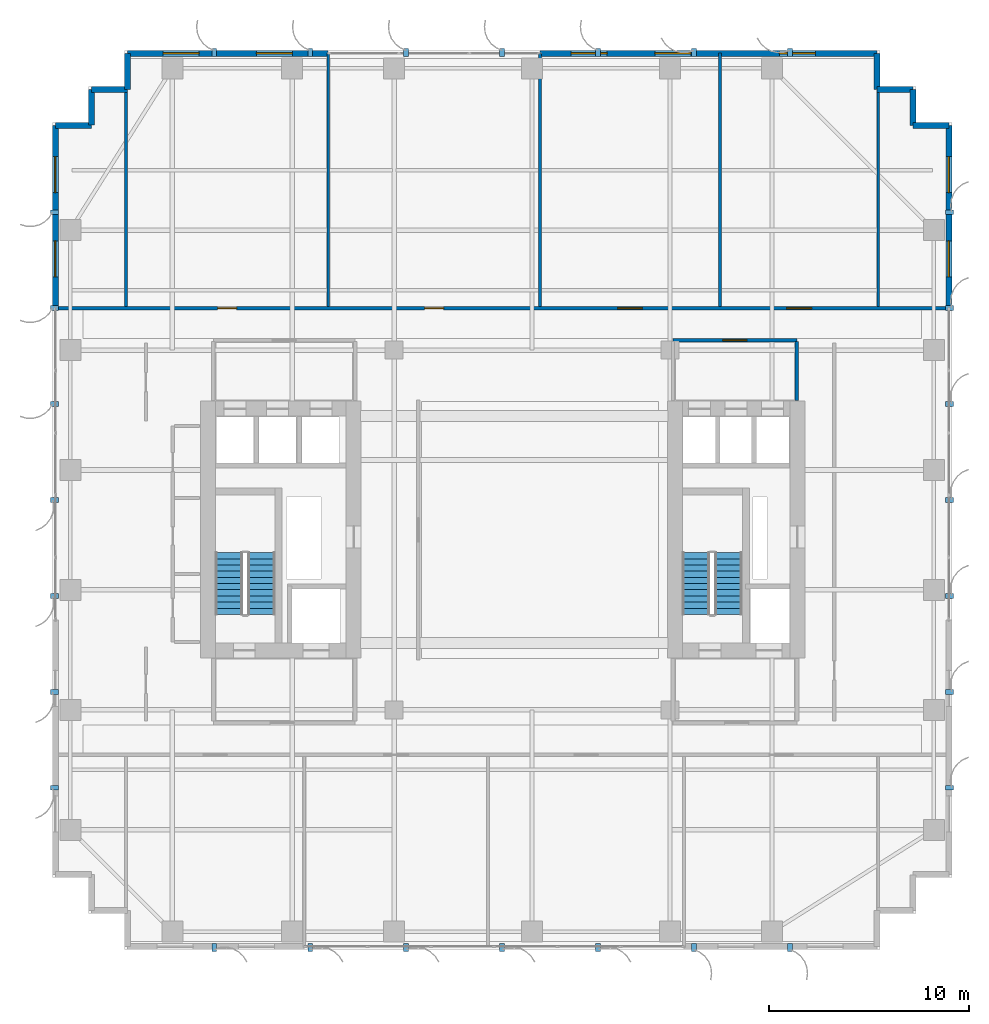
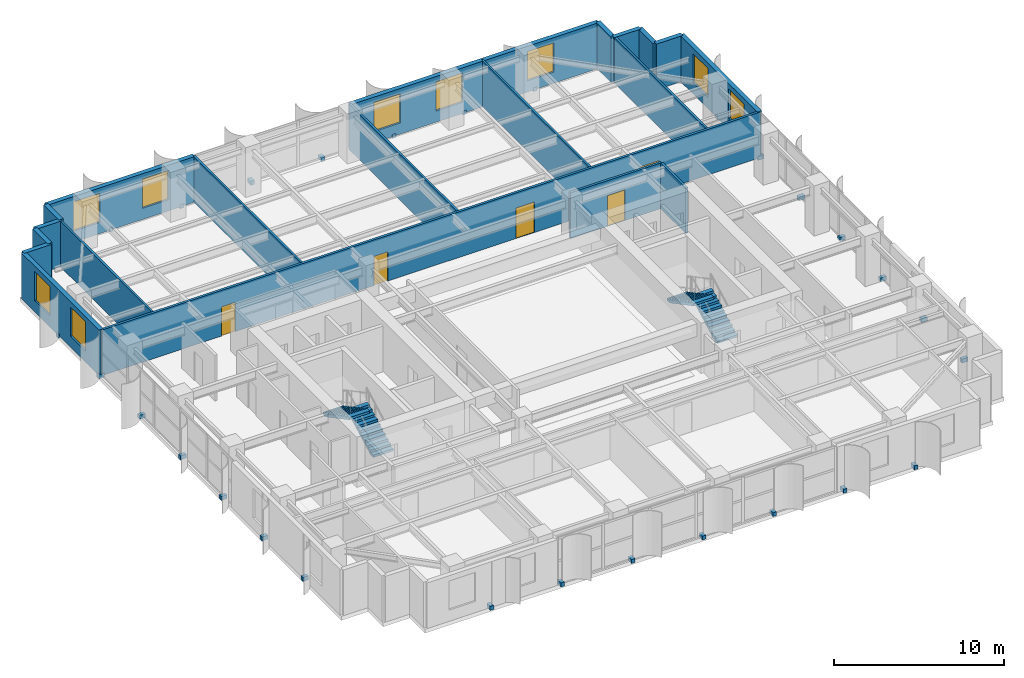
# One storey, part 24 of 28: 28 discrete accessories, 20 walls, 9 windows, 5 doors, 4 stair flights, 14 openings, 2 elements without a shape of their own.
"""IFC4 building model written with IfcOpenShell, lengths in metres."""

from ifc_helpers import new_model, si_unit, direction, frame, frame_2d, origin, origin_2d, place, context, subcontext, project, spatial, polyline, rectangle, outline, extrude, source, transform, mapped, material, layer, layer_set, type_object, element, fill, aggregate, save


model = new_model("IFC4")

# Units and contexts
model_context = context("Model", 3, precision=1e-05, world=origin(), true_north=direction((0.0, 1.0)))
body_context = subcontext(model_context, "Body", "Model", "MODEL_VIEW")
ifc_project = project(units=[si_unit("LENGTHUNIT", "METRE"), si_unit("AREAUNIT", "SQUARE_METRE"), si_unit("VOLUMEUNIT", "CUBIC_METRE"), si_unit("PLANEANGLEUNIT", "RADIAN"), si_unit("MASSUNIT", "GRAM", prefix="KILO")], contexts=[model_context])

# Site, building, storey
site_placement = place(None, origin())
site = spatial("IfcSite", under=ifc_project, at=site_placement, CompositionType="ELEMENT")
building_placement = place(site_placement, origin())
building = spatial("IfcBuilding", under=site, at=building_placement, Name="Khoralis Quay Care Tower", CompositionType="ELEMENT")
storey_placement = place(building_placement, frame((0.0, 0.0, 144.89990234375)))
storey = spatial("IfcBuildingStorey", under=building, at=storey_placement, Name="L38", CompositionType="ELEMENT", Elevation=144.89990234375)

# Wall, opening, door
ifc_material_1 = material(Name="Gypsum plasterboard on acoustic metal stud")
ifc_layer_1 = layer(ifc_material_1, 0.1650390625)
ifc_layer_set_1 = layer_set([ifc_layer_1], Name="Gypsum plasterboard on acoustic metal stud")
wall_type_1 = type_object("IfcWallType", Name="WL-CORR-165", PredefinedType="PARTITIONING", material=ifc_layer_set_1)
wall_1_placement = place(storey_placement, frame((31.050048828125, 30.5, 0.0), z_axis=(0.0, 0.0, 1.0), x_axis=(1.0, 0.0, 0.0)))
wall_1 = element("IfcWall", 1, at=wall_1_placement, inside=storey, type_object=wall_type_1, Name="L38 East Lift Lobby North Wall", PredefinedType="PARTITIONING", context=body_context, shape_type="SweptSolid", body=[
    extrude(rectangle(XDim=6.199951171875, YDim=0.1650390625, at=frame_2d((3.10009765625, 0.0))), origin(), (0.0, 0.0, 1.0), 3.280029296875),
])
opening_1_placement = place(wall_1_placement, frame((2.5, 0.0, 0.0)))
opening_1 = element("IfcOpeningElement", 2, at=opening_1_placement, cuts=wall_1, Name="Opening FD1", PredefinedType="OPENING", context=body_context, shape_type="SweptSolid", body=[
    extrude(rectangle(XDim=1.199951171875, YDim=2.199951171875, at=frame_2d((0.60009765625, 1.10009765625))), frame((0.0, 0.092529296875, 0.0), z_axis=(0.0, -1.0, 0.0), x_axis=(1.0, 0.0, 0.0)), (0.0, 0.0, 1.0), 0.18505859375),
])
ifc_material_2 = material(Name="Fire-rated painted steel", Category="steel")
door_type_1 = type_object("IfcDoorType", Name="DR-FFL-1200X2200", OperationType="NOTDEFINED", PredefinedType="DOOR", material=ifc_material_2)
shared_shape_1 = source(origin(), body_context, "Body", "SweptSolid", [
    extrude(rectangle(XDim=1.199951171875, YDim=2.199951171875, at=frame_2d((0.60009765625, 1.10009765625))), frame((0.0, 0.02490234375, 0.0), z_axis=(0.0, -1.0, 0.0), x_axis=(1.0, 0.0, 0.0)), (0.0, 0.0, 1.0), 0.050048828125),
])
door_1_placement = place(opening_1_placement, origin())
door_1 = element("IfcDoor", 3, at=door_1_placement, inside=storey, type_object=door_type_1, Name="L38 East Lift Lobby Double Door", OperationType="DOUBLE_DOOR_SINGLE_SWING", OverallHeight=2.199951171875, OverallWidth=1.199951171875, PredefinedType="DOOR", context=body_context, shape_type="MappedRepresentation", body=[
    mapped(shared_shape_1, transform((0.0, 0.0, 0.0), scale=1.0)),
])
fill(opening_1, door_1)

# Wall
wall_2_placement = place(storey_placement, frame((37.25, 27.469970703125, 0.0), z_axis=(0.0, 0.0, 1.0), x_axis=(0.0, 1.0, 0.0)))
element("IfcWall", 4, at=wall_2_placement, inside=storey, type_object=wall_type_1, Name="L38 East Lift Lobby East Wall", PredefinedType="PARTITIONING", context=body_context, shape_type="SweptSolid", body=[
    extrude(rectangle(XDim=2.95263671875, YDim=0.1650390625, at=frame_2d((1.476318359375, 0.0))), origin(), (0.0, 0.0, 1.0), 3.280029296875),
])

# Wall, openings, doors
wall_3_placement = place(storey_placement, frame((0.14501953125, 32.10009765625, 0.0), z_axis=(0.0, 0.0, 1.0), x_axis=(1.0, 0.0, 0.0)))
wall_3 = element("IfcWall", 5, at=wall_3_placement, inside=storey, type_object=wall_type_1, Name="L38 North Gallery Wall", PredefinedType="PARTITIONING", context=body_context, shape_type="SweptSolid", body=[
    extrude(rectangle(XDim=44.7099609375, YDim=0.1650390625, at=frame_2d((22.35498046875, 0.0))), origin(), (0.0, 0.0, 1.0), 3.280029296875),
])
opening_2_placement = place(wall_3_placement, frame((8.1201171875, 0.0, 0.0)))
opening_2 = element("IfcOpeningElement", 6, at=opening_2_placement, cuts=wall_3, Name="Opening ID1", PredefinedType="OPENING", context=body_context, shape_type="SweptSolid", body=[
    extrude(rectangle(XDim=0.949951171875, YDim=2.10009765625, at=frame_2d((0.47509765625, 1.050048828125))), frame((0.0, 0.092529296875, 0.0), z_axis=(0.0, -1.0, 0.0), x_axis=(1.0, 0.0, 0.0)), (0.0, 0.0, 1.0), 0.18505859375),
])
opening_3_placement = place(wall_3_placement, frame((18.47998046875, 0.0, 0.0)))
opening_3 = element("IfcOpeningElement", 7, at=opening_3_placement, cuts=wall_3, Name="Opening ID1", PredefinedType="OPENING", context=body_context, shape_type="SweptSolid", body=[
    extrude(rectangle(XDim=0.949951171875, YDim=2.10009765625, at=frame_2d((0.47509765625, 1.050048828125))), frame((0.0, 0.092529296875, 0.0), z_axis=(0.0, -1.0, 0.0), x_axis=(1.0, 0.0, 0.0)), (0.0, 0.0, 1.0), 0.18505859375),
])
opening_4_placement = place(wall_3_placement, frame((28.1298828125, 0.0, 0.0)))
opening_4 = element("IfcOpeningElement", 8, at=opening_4_placement, cuts=wall_3, Name="Opening CD1", PredefinedType="OPENING", context=body_context, shape_type="SweptSolid", body=[
    extrude(rectangle(XDim=1.25, YDim=2.199951171875, at=frame_2d((0.625, 1.10009765625))), frame((0.0, 0.092529296875, 0.0), z_axis=(0.0, -1.0, 0.0), x_axis=(1.0, 0.0, 0.0)), (0.0, 0.0, 1.0), 0.18505859375),
])
opening_5_placement = place(wall_3_placement, frame((36.590087890625, 0.0, 0.0)))
opening_5 = element("IfcOpeningElement", 9, at=opening_5_placement, cuts=wall_3, Name="Opening CD1", PredefinedType="OPENING", context=body_context, shape_type="SweptSolid", body=[
    extrude(rectangle(XDim=1.25, YDim=2.199951171875, at=frame_2d((0.625, 1.10009765625))), frame((0.0, 0.092529296875, 0.0), z_axis=(0.0, -1.0, 0.0), x_axis=(1.0, 0.0, 0.0)), (0.0, 0.0, 1.0), 0.18505859375),
])
ifc_material_3 = material(Name="Acoustic hardwood timber", Category="wood")
door_type_2 = type_object("IfcDoorType", Name="DR-CARE-1250X2200", OperationType="NOTDEFINED", PredefinedType="DOOR", material=ifc_material_3)
shared_shape_2 = source(origin(), body_context, "Body", "SweptSolid", [
    extrude(rectangle(XDim=1.25, YDim=2.199951171875, at=frame_2d((0.625, 1.10009765625))), frame((0.0, 0.02490234375, 0.0), z_axis=(0.0, -1.0, 0.0), x_axis=(1.0, 0.0, 0.0)), (0.0, 0.0, 1.0), 0.050048828125),
])
door_2_placement = place(opening_4_placement, origin())
door_2 = element("IfcDoor", 10, at=door_2_placement, inside=storey, type_object=door_type_2, Name="L38 Physiotherapy Treatment Clinic Door", OperationType="SINGLE_SWING_RIGHT", OverallHeight=2.199951171875, OverallWidth=1.25, PredefinedType="DOOR", context=body_context, shape_type="MappedRepresentation", body=[
    mapped(shared_shape_2, transform((0.0, 0.0, 0.0), scale=1.0)),
])
fill(opening_4, door_2)
door_3_placement = place(opening_5_placement, origin())
door_3 = element("IfcDoor", 11, at=door_3_placement, inside=storey, type_object=door_type_2, Name="L38 Geriatric Consultation Clinic Door", OperationType="SINGLE_SWING_LEFT", OverallHeight=2.199951171875, OverallWidth=1.25, PredefinedType="DOOR", context=body_context, shape_type="MappedRepresentation", body=[
    mapped(shared_shape_2, transform((0.0, 0.0, 0.0), scale=1.0)),
])
fill(opening_5, door_3)
door_type_3 = type_object("IfcDoorType", Name="DR-ROOM-950X2100", OperationType="NOTDEFINED", PredefinedType="DOOR", material=ifc_material_3)
shared_shape_3 = source(origin(), body_context, "Body", "SweptSolid", [
    extrude(rectangle(XDim=0.949951171875, YDim=2.10009765625, at=frame_2d((0.47509765625, 1.050048828125))), frame((0.0, 0.02490234375, 0.0), z_axis=(0.0, -1.0, 0.0), x_axis=(1.0, 0.0, 0.0)), (0.0, 0.0, 1.0), 0.050048828125),
])
door_4_placement = place(opening_2_placement, origin())
door_4 = element("IfcDoor", 12, at=door_4_placement, inside=storey, type_object=door_type_3, Name="L38 Care Coordination Office Door", OperationType="SINGLE_SWING_LEFT", OverallHeight=2.10009765625, OverallWidth=0.949951171875, PredefinedType="DOOR", context=body_context, shape_type="MappedRepresentation", body=[
    mapped(shared_shape_3, transform((0.0, 0.0, 0.0), scale=1.0)),
])
fill(opening_2, door_4)
door_5_placement = place(opening_3_placement, origin())
door_5 = element("IfcDoor", 13, at=door_5_placement, inside=storey, type_object=door_type_3, Name="L38 Family Case Conference Room Door", OperationType="SINGLE_SWING_RIGHT", OverallHeight=2.10009765625, OverallWidth=0.949951171875, PredefinedType="DOOR", context=body_context, shape_type="MappedRepresentation", body=[
    mapped(shared_shape_3, transform((0.0, 0.0, 0.0), scale=1.0)),
])
fill(opening_3, door_5)

# Wall, openings, windows
ifc_material_4 = material(Name="Precast concrete C45/55", Category="concrete")
ifc_layer_2 = layer(ifc_material_4, 0.300048828125)
ifc_layer_set_2 = layer_set([ifc_layer_2], Name="Precast concrete C45/55")
wall_type_2 = type_object("IfcWallType", Name="WL-EXT-REF-300", PredefinedType="SOLIDWALL", material=ifc_layer_set_2)
wall_4_placement = place(storey_placement, frame((44.85009765625, 32.10009765625, 0.0), z_axis=(0.0, 0.0, 1.0), x_axis=(0.0, 1.0, 0.0)))
wall_4 = element("IfcWall", 14, at=wall_4_placement, inside=storey, type_object=wall_type_2, Name="L38 External Facade Wall WL-EXT-L38-P1-E5B", PredefinedType="SOLIDWALL", context=body_context, shape_type="SweptSolid", body=[
    extrude(rectangle(XDim=9.14990234375, YDim=0.300048828125, at=frame_2d((4.574951171875, 0.0))), origin(), (0.0, 0.0, 1.0), 3.280029296875),
])
opening_6_placement = place(wall_4_placement, frame((1.5673828125, 0.0, 0.800048828125)))
opening_6 = element("IfcOpeningElement", 15, at=opening_6_placement, cuts=wall_4, Name="Opening W2", PredefinedType="OPENING", context=body_context, shape_type="SweptSolid", body=[
    extrude(rectangle(XDim=1.800048828125, YDim=2.10009765625, at=frame_2d((0.89990234375, 1.050048828125))), frame((0.0, 0.16015625, 0.0), z_axis=(0.0, -1.0, 0.0), x_axis=(1.0, 0.0, 0.0)), (0.0, 0.0, 1.0), 0.320068359375),
])
opening_7_placement = place(wall_4_placement, frame((5.782470703125, 0.0, 0.800048828125)))
opening_7 = element("IfcOpeningElement", 16, at=opening_7_placement, cuts=wall_4, Name="Opening W2", PredefinedType="OPENING", context=body_context, shape_type="SweptSolid", body=[
    extrude(rectangle(XDim=1.800048828125, YDim=2.10009765625, at=frame_2d((0.89990234375, 1.050048828125))), frame((0.0, 0.16015625, 0.0), z_axis=(0.0, -1.0, 0.0), x_axis=(1.0, 0.0, 0.0)), (0.0, 0.0, 1.0), 0.320068359375),
])
ifc_material_5 = material(Name="Low-E solar-control double glazing", Category="glass")
window_type = type_object("IfcWindowType", Name="WN-POD-1800X2100", PartitioningType="SINGLE_PANEL", PredefinedType="WINDOW", material=ifc_material_5)
shared_shape_4 = source(origin(), body_context, "Body", "SweptSolid", [
    extrude(rectangle(XDim=1.800048828125, YDim=2.10009765625, at=frame_2d((0.89990234375, 1.050048828125))), frame((0.0, 0.030029296875, 0.0), z_axis=(0.0, -1.0, 0.0), x_axis=(1.0, 0.0, 0.0)), (0.0, 0.0, 1.0), 0.06005859375),
])
window_1_placement = place(opening_6_placement, origin())
window_1 = element("IfcWindow", 17, at=window_1_placement, inside=storey, type_object=window_type, Name="WN-L38-P1-E5B Facade Window 01", OverallHeight=2.10009765625, OverallWidth=1.800048828125, PartitioningType="SINGLE_PANEL", PredefinedType="WINDOW", context=body_context, shape_type="MappedRepresentation", body=[
    mapped(shared_shape_4, transform((0.0, 0.0, 0.0), scale=1.0)),
])
fill(opening_6, window_1)
window_2_placement = place(opening_7_placement, origin())
window_2 = element("IfcWindow", 18, at=window_2_placement, inside=storey, type_object=window_type, Name="WN-L38-P1-E5B Facade Window 02", OverallHeight=2.10009765625, OverallWidth=1.800048828125, PartitioningType="SINGLE_PANEL", PredefinedType="WINDOW", context=body_context, shape_type="MappedRepresentation", body=[
    mapped(shared_shape_4, transform((0.0, 0.0, 0.0), scale=1.0)),
])
fill(opening_7, window_2)

# Walls
for number, where, z_axis, x_axis, name in (
    (19, (44.85009765625, 41.25, 0.0), (0.0, 0.0, 1.0), (-1.0, 0.0, 0.0), "L38 External Facade Wall WL-EXT-L38-P1-C6"),
    (20, (43.050048828125, 41.25, 0.0), (0.0, 0.0, 1.0), (0.0, 1.0, 0.0), "L38 External Facade Wall WL-EXT-L38-P1-C7"),
    (21, (43.050048828125, 43.050048828125, 0.0), (0.0, 0.0, 1.0), (-1.0, 0.0, 0.0), "L38 External Facade Wall WL-EXT-L38-P1-C8"),
    (22, (41.25, 43.050048828125, 0.0), (0.0, 0.0, 1.0), (0.0, 1.0, 0.0), "L38 External Facade Wall WL-EXT-L38-P1-C9"),
):
    element("IfcWall", number, at=place(storey_placement, frame(where, z_axis=z_axis, x_axis=x_axis)), inside=storey, type_object=wall_type_2, Name=name, PredefinedType="SOLIDWALL", context=body_context, shape_type="SweptSolid", body=[
        extrude(rectangle(XDim=1.800048828125, YDim=0.300048828125, at=frame_2d((0.89990234375, 0.0))), origin(), (0.0, 0.0, 1.0), 3.280029296875),
    ])

# Wall, openings, windows
wall_5_placement = place(storey_placement, frame((41.25, 44.85009765625, 0.0), z_axis=(0.0, 0.0, 1.0), x_axis=(-1.0, 0.0, 0.0)))
wall_5 = element("IfcWall", 23, at=wall_5_placement, inside=storey, type_object=wall_type_2, Name="L38 External Facade Wall WL-EXT-L38-P1-E10A", PredefinedType="SOLIDWALL", context=body_context, shape_type="SweptSolid", body=[
    extrude(rectangle(XDim=16.85009765625, YDim=0.300048828125, at=frame_2d((8.425048828125, 0.0))), origin(), (0.0, 0.0, 1.0), 3.280029296875),
])
opening_8_placement = place(wall_5_placement, frame((3.074951171875, 0.0, 0.800048828125)))
opening_8 = element("IfcOpeningElement", 24, at=opening_8_placement, cuts=wall_5, Name="Opening W2", PredefinedType="OPENING", context=body_context, shape_type="SweptSolid", body=[
    extrude(rectangle(XDim=1.800048828125, YDim=2.10009765625, at=frame_2d((0.89990234375, 1.050048828125))), frame((0.0, 0.16015625, 0.0), z_axis=(0.0, -1.0, 0.0), x_axis=(1.0, 0.0, 0.0)), (0.0, 0.0, 1.0), 0.320068359375),
])
opening_9_placement = place(wall_5_placement, frame((9.304931640625, 0.0, 0.800048828125)))
opening_9 = element("IfcOpeningElement", 25, at=opening_9_placement, cuts=wall_5, Name="Opening W2", PredefinedType="OPENING", context=body_context, shape_type="SweptSolid", body=[
    extrude(rectangle(XDim=1.800048828125, YDim=2.10009765625, at=frame_2d((0.89990234375, 1.050048828125))), frame((0.0, 0.16015625, 0.0), z_axis=(0.0, -1.0, 0.0), x_axis=(1.0, 0.0, 0.0)), (0.0, 0.0, 1.0), 0.320068359375),
])
opening_10_placement = place(wall_5_placement, frame((13.4951171875, 0.0, 0.800048828125)))
opening_10 = element("IfcOpeningElement", 26, at=opening_10_placement, cuts=wall_5, Name="Opening W2", PredefinedType="OPENING", context=body_context, shape_type="SweptSolid", body=[
    extrude(rectangle(XDim=1.800048828125, YDim=2.10009765625, at=frame_2d((0.89990234375, 1.050048828125))), frame((0.0, 0.16015625, 0.0), z_axis=(0.0, -1.0, 0.0), x_axis=(1.0, 0.0, 0.0)), (0.0, 0.0, 1.0), 0.320068359375),
])
window_3_placement = place(opening_8_placement, origin())
window_3 = element("IfcWindow", 27, at=window_3_placement, inside=storey, type_object=window_type, Name="WN-L38-P1-E10A Facade Window 01", OverallHeight=2.10009765625, OverallWidth=1.800048828125, PartitioningType="SINGLE_PANEL", PredefinedType="WINDOW", context=body_context, shape_type="MappedRepresentation", body=[
    mapped(shared_shape_4, transform((0.0, 0.0, 0.0), scale=1.0)),
])
fill(opening_8, window_3)
window_4_placement = place(opening_9_placement, origin())
window_4 = element("IfcWindow", 28, at=window_4_placement, inside=storey, type_object=window_type, Name="WN-L38-P1-E10A Facade Window 02", OverallHeight=2.10009765625, OverallWidth=1.800048828125, PartitioningType="SINGLE_PANEL", PredefinedType="WINDOW", context=body_context, shape_type="MappedRepresentation", body=[
    mapped(shared_shape_4, transform((0.0, 0.0, 0.0), scale=1.0)),
])
fill(opening_9, window_4)
window_5_placement = place(opening_10_placement, origin())
window_5 = element("IfcWindow", 29, at=window_5_placement, inside=storey, type_object=window_type, Name="WN-L38-P1-E10A Facade Window 03", OverallHeight=2.10009765625, OverallWidth=1.800048828125, PartitioningType="SINGLE_PANEL", PredefinedType="WINDOW", context=body_context, shape_type="MappedRepresentation", body=[
    mapped(shared_shape_4, transform((0.0, 0.0, 0.0), scale=1.0)),
])
fill(opening_10, window_5)

wall_6_placement = place(storey_placement, frame((13.800048828125, 44.85009765625, 0.0), z_axis=(0.0, 0.0, 1.0), x_axis=(-1.0, 0.0, 0.0)))
wall_6 = element("IfcWall", 30, at=wall_6_placement, inside=storey, type_object=wall_type_2, Name="L38 External Facade Wall WL-EXT-L38-P1-E10B", PredefinedType="SOLIDWALL", context=body_context, shape_type="SweptSolid", body=[
    extrude(rectangle(XDim=10.050048828125, YDim=0.300048828125, at=frame_2d((5.02490234375, 0.0))), origin(), (0.0, 0.0, 1.0), 3.280029296875),
])
opening_11_placement = place(wall_6_placement, frame((1.79248046875, 0.0, 0.800048828125)))
opening_11 = element("IfcOpeningElement", 31, at=opening_11_placement, cuts=wall_6, Name="Opening W2", PredefinedType="OPENING", context=body_context, shape_type="SweptSolid", body=[
    extrude(rectangle(XDim=1.800048828125, YDim=2.10009765625, at=frame_2d((0.89990234375, 1.050048828125))), frame((0.0, 0.16015625, 0.0), z_axis=(0.0, -1.0, 0.0), x_axis=(1.0, 0.0, 0.0)), (0.0, 0.0, 1.0), 0.320068359375),
])
opening_12_placement = place(wall_6_placement, frame((6.45751953125, 0.0, 0.800048828125)))
opening_12 = element("IfcOpeningElement", 32, at=opening_12_placement, cuts=wall_6, Name="Opening W2", PredefinedType="OPENING", context=body_context, shape_type="SweptSolid", body=[
    extrude(rectangle(XDim=1.800048828125, YDim=2.10009765625, at=frame_2d((0.89990234375, 1.050048828125))), frame((0.0, 0.16015625, 0.0), z_axis=(0.0, -1.0, 0.0), x_axis=(1.0, 0.0, 0.0)), (0.0, 0.0, 1.0), 0.320068359375),
])
window_6_placement = place(opening_11_placement, origin())
window_6 = element("IfcWindow", 33, at=window_6_placement, inside=storey, type_object=window_type, Name="WN-L38-P1-E10B Facade Window 01", OverallHeight=2.10009765625, OverallWidth=1.800048828125, PartitioningType="SINGLE_PANEL", PredefinedType="WINDOW", context=body_context, shape_type="MappedRepresentation", body=[
    mapped(shared_shape_4, transform((0.0, 0.0, 0.0), scale=1.0)),
])
fill(opening_11, window_6)
window_7_placement = place(opening_12_placement, origin())
window_7 = element("IfcWindow", 34, at=window_7_placement, inside=storey, type_object=window_type, Name="WN-L38-P1-E10B Facade Window 02", OverallHeight=2.10009765625, OverallWidth=1.800048828125, PartitioningType="SINGLE_PANEL", PredefinedType="WINDOW", context=body_context, shape_type="MappedRepresentation", body=[
    mapped(shared_shape_4, transform((0.0, 0.0, 0.0), scale=1.0)),
])
fill(opening_12, window_7)

# Walls
for number, where, z_axis, x_axis, name in (
    (35, (3.75, 44.85009765625, 0.0), (0.0, 0.0, 1.0), (0.0, -1.0, 0.0), "L38 External Facade Wall WL-EXT-L38-P1-C11"),
    (36, (3.75, 43.050048828125, 0.0), (0.0, 0.0, 1.0), (-1.0, 0.0, 0.0), "L38 External Facade Wall WL-EXT-L38-P1-C12"),
    (37, (1.949951171875, 43.050048828125, 0.0), (0.0, 0.0, 1.0), (0.0, -1.0, 0.0), "L38 External Facade Wall WL-EXT-L38-P1-C13"),
    (38, (1.949951171875, 41.25, 0.0), (0.0, 0.0, 1.0), (-1.0, 0.0, 0.0), "L38 External Facade Wall WL-EXT-L38-P1-C14"),
):
    element("IfcWall", number, at=place(storey_placement, frame(where, z_axis=z_axis, x_axis=x_axis)), inside=storey, type_object=wall_type_2, Name=name, PredefinedType="SOLIDWALL", context=body_context, shape_type="SweptSolid", body=[
        extrude(rectangle(XDim=1.800048828125, YDim=0.300048828125, at=frame_2d((0.89990234375, 0.0))), origin(), (0.0, 0.0, 1.0), 3.280029296875),
    ])

# Wall, openings, windows
wall_7_placement = place(storey_placement, frame((0.14990234375, 41.25, 0.0), z_axis=(0.0, 0.0, 1.0), x_axis=(0.0, -1.0, 0.0)))
wall_7 = element("IfcWall", 39, at=wall_7_placement, inside=storey, type_object=wall_type_2, Name="L38 External Facade Wall WL-EXT-L38-P1-E15A", PredefinedType="SOLIDWALL", context=body_context, shape_type="SweptSolid", body=[
    extrude(rectangle(XDim=9.14990234375, YDim=0.300048828125, at=frame_2d((4.574951171875, 0.0))), origin(), (0.0, 0.0, 1.0), 3.280029296875),
])
opening_13_placement = place(wall_7_placement, frame((1.5673828125, 0.0, 0.800048828125)))
opening_13 = element("IfcOpeningElement", 40, at=opening_13_placement, cuts=wall_7, Name="Opening W2", PredefinedType="OPENING", context=body_context, shape_type="SweptSolid", body=[
    extrude(rectangle(XDim=1.800048828125, YDim=2.10009765625, at=frame_2d((0.89990234375, 1.050048828125))), frame((0.0, 0.16015625, 0.0), z_axis=(0.0, -1.0, 0.0), x_axis=(1.0, 0.0, 0.0)), (0.0, 0.0, 1.0), 0.320068359375),
])
opening_14_placement = place(wall_7_placement, frame((5.782470703125, 0.0, 0.800048828125)))
opening_14 = element("IfcOpeningElement", 41, at=opening_14_placement, cuts=wall_7, Name="Opening W2", PredefinedType="OPENING", context=body_context, shape_type="SweptSolid", body=[
    extrude(rectangle(XDim=1.800048828125, YDim=2.10009765625, at=frame_2d((0.89990234375, 1.050048828125))), frame((0.0, 0.16015625, 0.0), z_axis=(0.0, -1.0, 0.0), x_axis=(1.0, 0.0, 0.0)), (0.0, 0.0, 1.0), 0.320068359375),
])
window_8_placement = place(opening_13_placement, origin())
window_8 = element("IfcWindow", 42, at=window_8_placement, inside=storey, type_object=window_type, Name="WN-L38-P1-E15A Facade Window 01", OverallHeight=2.10009765625, OverallWidth=1.800048828125, PartitioningType="SINGLE_PANEL", PredefinedType="WINDOW", context=body_context, shape_type="MappedRepresentation", body=[
    mapped(shared_shape_4, transform((0.0, 0.0, 0.0), scale=1.0)),
])
fill(opening_13, window_8)
window_9_placement = place(opening_14_placement, origin())
window_9 = element("IfcWindow", 43, at=window_9_placement, inside=storey, type_object=window_type, Name="WN-L38-P1-E15A Facade Window 02", OverallHeight=2.10009765625, OverallWidth=1.800048828125, PartitioningType="SINGLE_PANEL", PredefinedType="WINDOW", context=body_context, shape_type="MappedRepresentation", body=[
    mapped(shared_shape_4, transform((0.0, 0.0, 0.0), scale=1.0)),
])
fill(opening_14, window_9)

# Walls
ifc_layer_3 = layer(ifc_material_1, 0.139892578125)
ifc_layer_set_3 = layer_set([ifc_layer_3], Name="Gypsum plasterboard on acoustic metal stud")
wall_type_3 = type_object("IfcWallType", Name="WL-UNIT-140", PredefinedType="PARTITIONING", material=ifc_layer_set_3)
wall_8_placement = place(storey_placement, frame((3.679931640625, 32.177490234375, 0.0), z_axis=(0.0, 0.0, 1.0), x_axis=(0.0, 1.0, 0.0)))
element("IfcWall", 44, at=wall_8_placement, inside=storey, type_object=wall_type_3, Name="L38 NB Demising Wall 0", PredefinedType="PARTITIONING", context=body_context, shape_type="SweptSolid", body=[
    extrude(rectangle(XDim=10.87744140625, YDim=0.139892578125, at=frame_2d((5.438720703125, 0.0))), origin(), (0.0, 0.0, 1.0), 3.280029296875),
])
for number, where, z_axis, x_axis, name in (
    (45, (13.800048828125, 32.177490234375, 0.0), (0.0, 0.0, 1.0), (0.0, 1.0, 0.0), "L38 NB Demising Wall 1"),
    (46, (24.39990234375, 32.177490234375, 0.0), (0.0, 0.0, 1.0), (0.0, 1.0, 0.0), "L38 NB Demising Wall 2"),
    (47, (33.39990234375, 32.177490234375, 0.0), (0.0, 0.0, 1.0), (0.0, 1.0, 0.0), "L38 NB Demising Wall 3"),
):
    element("IfcWall", number, at=place(storey_placement, frame(where, z_axis=z_axis, x_axis=x_axis)), inside=storey, type_object=wall_type_3, Name=name, PredefinedType="PARTITIONING", context=body_context, shape_type="SweptSolid", body=[
        extrude(rectangle(XDim=12.677490234375, YDim=0.139892578125, at=frame_2d((6.3388671875, 0.0))), origin(), (0.0, 0.0, 1.0), 3.280029296875),
    ])
wall_9_placement = place(storey_placement, frame((41.320068359375, 32.177490234375, 0.0), z_axis=(0.0, 0.0, 1.0), x_axis=(0.0, 1.0, 0.0)))
element("IfcWall", 48, at=wall_9_placement, inside=storey, type_object=wall_type_3, Name="L38 NB Demising Wall 4", PredefinedType="PARTITIONING", context=body_context, shape_type="SweptSolid", body=[
    extrude(rectangle(XDim=10.87744140625, YDim=0.139892578125, at=frame_2d((5.438720703125, 0.0))), origin(), (0.0, 0.0, 1.0), 3.280029296875),
])

# Stair, stair flights
stair_type = type_object("IfcStairType", Name="ST-TWR-DOGLEG-1400", PredefinedType="HALF_TURN_STAIR", material=ifc_material_4)
stair_1_placement = place(storey_placement, origin())
stair_1 = element("IfcStair", 49, at=stair_1_placement, inside=storey, type_object=stair_type, Name="L38 West Core Exit Stair ST-T1", PredefinedType="HALF_TURN_STAIR")
stair_flight_type = type_object("IfcStairFlightType", Name="SF-TWR-1400", PredefinedType="STRAIGHT", material=ifc_material_4)
shared_shape_5 = source(origin(), body_context, "Body", "SweptSolid", [
    extrude(outline(polyline([(0.0, 0.0), (0.0, 0.16357421875), (0.31005859375, 0.16357421875), (0.31005859375, 0.327392578125), (0.6201171875, 0.327392578125), (0.6201171875, 0.490966796875), (0.929931640625, 0.490966796875), (0.929931640625, 0.654541015625), (1.239990234375, 0.654541015625), (1.239990234375, 0.818115234375), (1.550048828125, 0.818115234375), (1.550048828125, 0.98193359375), (1.860107421875, 0.98193359375), (1.860107421875, 1.1455078125), (2.169921875, 1.1455078125), (2.169921875, 1.30908203125), (2.47998046875, 1.30908203125), (2.47998046875, 1.47265625), (2.7900390625, 1.47265625), (2.7900390625, 1.636474609375), (3.10009765625, 1.636474609375), (3.10009765625, 1.800048828125), (3.10009765625, 1.466796875), (0.321044921875, 0.0), (0.0, 0.0)])), frame((0.0, 0.68994140625, 0.0), z_axis=(0.0, -1.0, 0.0), x_axis=(1.0, 0.0, 0.0)), (0.0, 0.0, 1.0), 1.3798828125),
])
stair_flight_1_placement = place(storey_placement, frame((10.4599609375, 16.77001953125, 0.0), z_axis=(0.0, 0.0, 1.0), x_axis=(0.0, 1.0, 0.0)))
stair_flight_1 = element("IfcStairFlight", 50, at=stair_flight_1_placement, type_object=stair_flight_type, Name="ST-T1 flight 1", NumberOfRisers=11, NumberOfTreads=10, PredefinedType="STRAIGHT", RiserHeight=0.163636364, TreadLength=0.31, context=body_context, shape_type="MappedRepresentation", body=[
    mapped(shared_shape_5, transform((0.0, 0.0, 0.0), scale=1.0)),
])
stair_flight_2_placement = place(storey_placement, frame((8.840087890625, 19.8701171875, 1.800048828125), z_axis=(0.0, 0.0, 1.0), x_axis=(0.0, -1.0, 0.0)))
stair_flight_2 = element("IfcStairFlight", 51, at=stair_flight_2_placement, type_object=stair_flight_type, Name="ST-T1 flight 2", NumberOfRisers=11, NumberOfTreads=10, PredefinedType="STRAIGHT", RiserHeight=0.163636364, TreadLength=0.31, context=body_context, shape_type="MappedRepresentation", body=[
    mapped(shared_shape_5, transform((0.0, 0.0, 0.0), scale=1.0)),
])
aggregate(stair_1, [stair_flight_1, stair_flight_2])

stair_2_placement = place(storey_placement, origin())
stair_2 = element("IfcStair", 52, at=stair_2_placement, inside=storey, type_object=stair_type, Name="L38 East Core Exit Stair ST-T2", PredefinedType="HALF_TURN_STAIR")
stair_flight_3_placement = place(storey_placement, frame((33.830078125, 16.77001953125, 0.0), z_axis=(0.0, 0.0, 1.0), x_axis=(0.0, 1.0, 0.0)))
stair_flight_3 = element("IfcStairFlight", 53, at=stair_flight_3_placement, type_object=stair_flight_type, Name="ST-T2 flight 1", NumberOfRisers=11, NumberOfTreads=10, PredefinedType="STRAIGHT", RiserHeight=0.163636364, TreadLength=0.31, context=body_context, shape_type="MappedRepresentation", body=[
    mapped(shared_shape_5, transform((0.0, 0.0, 0.0), scale=1.0)),
])
stair_flight_4_placement = place(storey_placement, frame((32.2099609375, 19.8701171875, 1.800048828125), z_axis=(0.0, 0.0, 1.0), x_axis=(0.0, -1.0, 0.0)))
stair_flight_4 = element("IfcStairFlight", 54, at=stair_flight_4_placement, type_object=stair_flight_type, Name="ST-T2 flight 2", NumberOfRisers=11, NumberOfTreads=10, PredefinedType="STRAIGHT", RiserHeight=0.163636364, TreadLength=0.31, context=body_context, shape_type="MappedRepresentation", body=[
    mapped(shared_shape_5, transform((0.0, 0.0, 0.0), scale=1.0)),
])
aggregate(stair_2, [stair_flight_3, stair_flight_4])

# Discrete accessories
ifc_material_6 = material(Name="Brushed stainless steel", Category="steel")
discrete_accessory_type = type_object("IfcDiscreteAccessoryType", Name="ACC-FIN-BRACKET", PredefinedType="BRACKET", material=ifc_material_6)
shared_shape_6 = source(origin(), body_context, "Body", "SweptSolid", [
    extrude(rectangle(XDim=0.39990234375, YDim=0.239990234375, at=origin_2d()), origin(), (0.0, 0.0, 1.0), 0.280029296875),
])
for number, where, z_axis, x_axis, name in (
    (55, (8.10009765625, 0.110107421875, -0.1201171875), (0.0, 0.0, 1.0), (0.0, -1.0, 0.0), "L38 Solar Fin Bracket P1E0-01"),
    (56, (12.89990234375, 0.110107421875, -0.1201171875), (0.0, 0.0, 1.0), (0.0, -1.0, 0.0), "L38 Solar Fin Bracket P1E0-02"),
    (57, (17.699951171875, 0.110107421875, -0.1201171875), (0.0, 0.0, 1.0), (0.0, -1.0, 0.0), "L38 Solar Fin Bracket P1E0-03"),
    (58, (22.5, 0.110107421875, -0.1201171875), (0.0, 0.0, 1.0), (0.0, -1.0, 0.0), "L38 Solar Fin Bracket P1E0-04"),
    (59, (27.300048828125, 0.110107421875, -0.1201171875), (0.0, 0.0, 1.0), (0.0, -1.0, 0.0), "L38 Solar Fin Bracket P1E0-05"),
    (60, (32.10009765625, 0.110107421875, -0.1201171875), (0.0, 0.0, 1.0), (0.0, -1.0, 0.0), "L38 Solar Fin Bracket P1E0-06"),
    (61, (36.89990234375, 0.110107421875, -0.1201171875), (0.0, 0.0, 1.0), (0.0, -1.0, 0.0), "L38 Solar Fin Bracket P1E0-07"),
    (62, (44.889892578125, 8.10009765625, -0.1201171875), (0.0, 0.0, 1.0), (1.0, 0.0, 0.0), "L38 Solar Fin Bracket P1E5-01"),
    (63, (44.889892578125, 12.89990234375, -0.1201171875), (0.0, 0.0, 1.0), (1.0, 0.0, 0.0), "L38 Solar Fin Bracket P1E5-02"),
    (64, (44.889892578125, 17.699951171875, -0.1201171875), (0.0, 0.0, 1.0), (1.0, 0.0, 0.0), "L38 Solar Fin Bracket P1E5-03"),
    (65, (44.889892578125, 22.5, -0.1201171875), (0.0, 0.0, 1.0), (1.0, 0.0, 0.0), "L38 Solar Fin Bracket P1E5-04"),
    (66, (44.889892578125, 27.300048828125, -0.1201171875), (0.0, 0.0, 1.0), (1.0, 0.0, 0.0), "L38 Solar Fin Bracket P1E5-05"),
    (67, (44.889892578125, 32.10009765625, -0.1201171875), (0.0, 0.0, 1.0), (1.0, 0.0, 0.0), "L38 Solar Fin Bracket P1E5-06"),
    (68, (44.889892578125, 36.89990234375, -0.1201171875), (0.0, 0.0, 1.0), (1.0, 0.0, 0.0), "L38 Solar Fin Bracket P1E5-07"),
    (69, (36.89990234375, 44.889892578125, -0.1201171875), (0.0, 0.0, 1.0), (0.0, 1.0, 0.0), "L38 Solar Fin Bracket P1E10-01"),
    (70, (32.10009765625, 44.889892578125, -0.1201171875), (0.0, 0.0, 1.0), (0.0, 1.0, 0.0), "L38 Solar Fin Bracket P1E10-02"),
    (71, (27.300048828125, 44.889892578125, -0.1201171875), (0.0, 0.0, 1.0), (0.0, 1.0, 0.0), "L38 Solar Fin Bracket P1E10-03"),
    (72, (22.5, 44.889892578125, -0.1201171875), (0.0, 0.0, 1.0), (0.0, 1.0, 0.0), "L38 Solar Fin Bracket P1E10-04"),
    (73, (17.699951171875, 44.889892578125, -0.1201171875), (0.0, 0.0, 1.0), (0.0, 1.0, 0.0), "L38 Solar Fin Bracket P1E10-05"),
    (74, (12.89990234375, 44.889892578125, -0.1201171875), (0.0, 0.0, 1.0), (0.0, 1.0, 0.0), "L38 Solar Fin Bracket P1E10-06"),
    (75, (8.10009765625, 44.889892578125, -0.1201171875), (0.0, 0.0, 1.0), (0.0, 1.0, 0.0), "L38 Solar Fin Bracket P1E10-07"),
    (76, (0.110107421875, 36.89990234375, -0.1201171875), (0.0, 0.0, 1.0), (-1.0, 0.0, 0.0), "L38 Solar Fin Bracket P1E15-01"),
    (77, (0.110107421875, 32.10009765625, -0.1201171875), (0.0, 0.0, 1.0), (-1.0, 0.0, 0.0), "L38 Solar Fin Bracket P1E15-02"),
    (78, (0.110107421875, 27.300048828125, -0.1201171875), (0.0, 0.0, 1.0), (-1.0, 0.0, 0.0), "L38 Solar Fin Bracket P1E15-03"),
    (79, (0.110107421875, 22.5, -0.1201171875), (0.0, 0.0, 1.0), (-1.0, 0.0, 0.0), "L38 Solar Fin Bracket P1E15-04"),
    (80, (0.110107421875, 17.699951171875, -0.1201171875), (0.0, 0.0, 1.0), (-1.0, 0.0, 0.0), "L38 Solar Fin Bracket P1E15-05"),
    (81, (0.110107421875, 12.89990234375, -0.1201171875), (0.0, 0.0, 1.0), (-1.0, 0.0, 0.0), "L38 Solar Fin Bracket P1E15-06"),
    (82, (0.110107421875, 8.10009765625, -0.1201171875), (0.0, 0.0, 1.0), (-1.0, 0.0, 0.0), "L38 Solar Fin Bracket P1E15-07"),
):
    element("IfcDiscreteAccessory", number, at=place(storey_placement, frame(where, z_axis=z_axis, x_axis=x_axis)), inside=storey, type_object=discrete_accessory_type, Name=name, PredefinedType="BRACKET", context=body_context, shape_type="MappedRepresentation", body=[
        mapped(shared_shape_6, transform((0.0, 0.0, 0.0), scale=1.0)),
    ])

save(model, "model.ifc")
